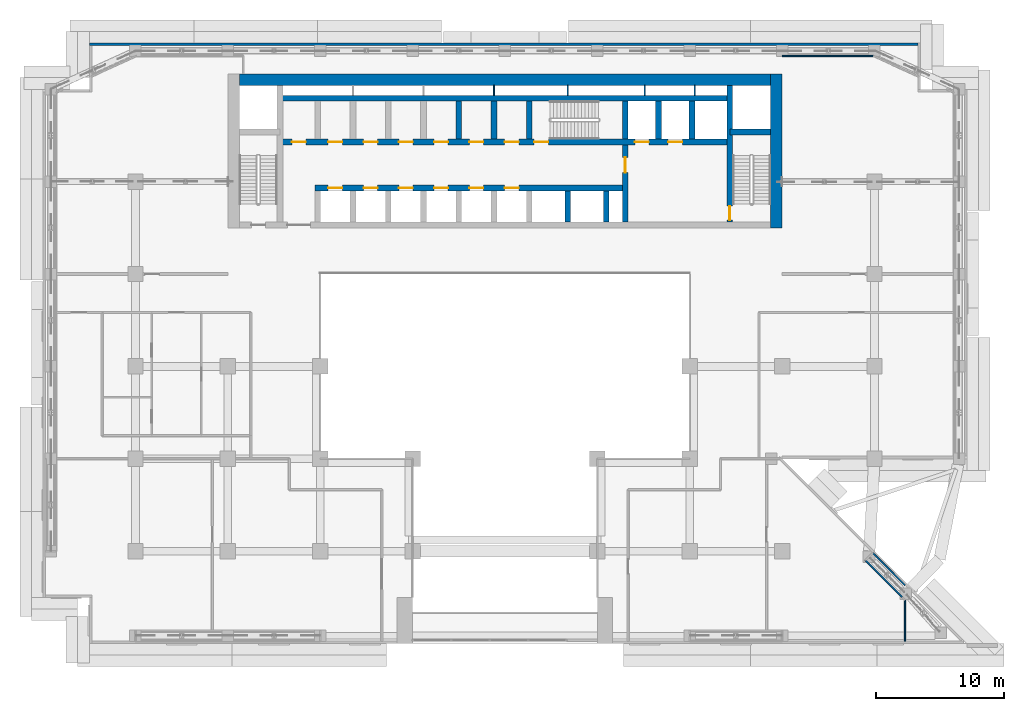
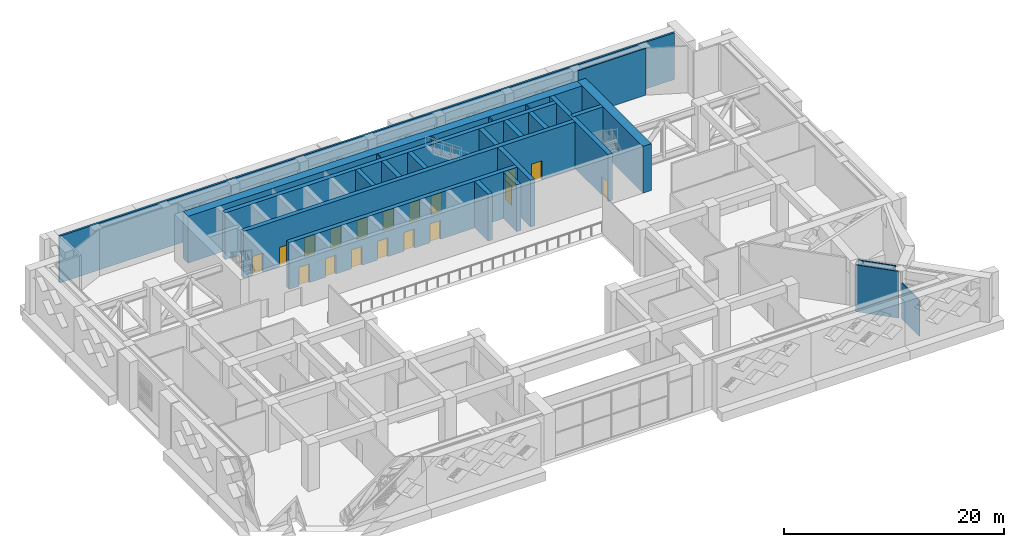
# One storey, part 10 of 19: 25 walls, 18 doors, 18 openings.
"""IFC4 building model written with IfcOpenShell, lengths in metres."""

from ifc_helpers import new_model, si_unit, direction, frame, frame_2d, origin, place, context, subcontext, project, spatial, rectangle, extrude, material, layer, layer_set, type_object, element, fill, save


model = new_model("IFC4")

# Units and contexts
model_context = context("Model", 3, precision=1e-05, world=origin(), true_north=direction((0.0, 1.0)))
body_context = subcontext(model_context, "Body", "Model", "MODEL_VIEW")
ifc_project = project(units=[si_unit("LENGTHUNIT", "METRE"), si_unit("AREAUNIT", "SQUARE_METRE"), si_unit("VOLUMEUNIT", "CUBIC_METRE"), si_unit("PLANEANGLEUNIT", "RADIAN"), si_unit("MASSUNIT", "GRAM", prefix="KILO")], contexts=[model_context])

# Site, building, storey
site_placement = place(None, origin())
site = spatial("IfcSite", under=ifc_project, at=site_placement, CompositionType="ELEMENT")
building_placement = place(site_placement, origin())
building = spatial("IfcBuilding", under=site, at=building_placement, Name="Saffron Iwan Residences", CompositionType="ELEMENT")
storey_placement = place(building_placement, frame((0.0, 0.0, 107.5)))
storey = spatial("IfcBuildingStorey", under=building, at=storey_placement, Name="L28", CompositionType="ELEMENT", Elevation=107.5)

# Walls
ifc_material_1 = material(Name="Concrete C40/50", Category="concrete")
ifc_layer_1 = layer(ifc_material_1, 0.199951171875)
ifc_layer_set_1 = layer_set([ifc_layer_1], Name="Concrete C40/50")
wall_type_1 = type_object("IfcWallType", Name="EXTERNAL WALL 200", PredefinedType="SOLIDWALL", material=ifc_layer_set_1)
wall_1_placement = place(storey_placement, frame((82.60009765625, 80.300048828125, 0.0), z_axis=(0.0, 0.0, 1.0), x_axis=(-1.0, 0.0, 0.0)))
element("IfcWall", 1, at=wall_1_placement, inside=storey, type_object=wall_type_1, Name="External wall L28 F5.0", PredefinedType="SOLIDWALL", context=body_context, shape_type="SweptSolid", body=[
    extrude(rectangle(XDim=64.60009765625, YDim=0.199951171875, at=frame_2d((32.300048828125, 0.0))), origin(), (0.0, 0.0, 1.0), 5.199951171875),
])
ifc_material_2 = material(Name="Glass", Category="glass")
ifc_layer_2 = layer(ifc_material_2, 0.10009765625)
ifc_layer_set_2 = layer_set([ifc_layer_2], Name="Glass")
wall_type_2 = type_object("IfcWallType", Name="Glazed screen wall 100", PredefinedType="PARTITIONING", material=ifc_layer_set_2)
wall_2_placement = place(storey_placement, frame((72.0, 79.39990234375, 0.0), z_axis=(0.0, 0.0, 1.0), x_axis=(1.0, 0.0, 0.0)))
element("IfcWall", 2, at=wall_2_placement, inside=storey, type_object=wall_type_2, Name="W-L28-021", PredefinedType="PARTITIONING", context=body_context, shape_type="SweptSolid", body=[
    extrude(rectangle(XDim=7.113037109375, YDim=0.10009765625, at=frame_2d((3.556640625, 0.0))), origin(), (0.0, 0.0, 1.0), 5.199951171875),
])
wall_3_placement = place(storey_placement, frame((81.580078125, 33.77001953125, 0.0), z_axis=(0.0, 0.0, 1.0), x_axis=(0.0, 1.0, 0.0)))
element("IfcWall", 3, at=wall_3_placement, inside=storey, type_object=wall_type_2, Name="W-L28-045", PredefinedType="PARTITIONING", context=body_context, shape_type="SweptSolid", body=[
    extrude(rectangle(XDim=3.208984375, YDim=0.10009765625, at=frame_2d((1.6044921875, 0.0))), origin(), (0.0, 0.0, 1.0), 4.0),
])
wall_4_placement = place(storey_placement, frame((81.364013671875, 37.220947265625, 0.0), z_axis=(0.0, 0.0, 1.0), x_axis=(-0.706986535159, 0.707227006769, 0.0)))
element("IfcWall", 4, at=wall_4_placement, inside=storey, type_object=wall_type_2, Name="W-L28-050", PredefinedType="PARTITIONING", context=body_context, shape_type="SweptSolid", body=[
    extrude(rectangle(XDim=4.06103515625, YDim=0.10009765625, at=frame_2d((2.030517578125, 0.0))), origin(), (0.0, 0.0, 1.0), 5.199951171875),
])
wall_5_placement = place(storey_placement, frame((79.05908203125, 40.658935546875, 0.0), z_axis=(0.0, 0.0, 1.0), x_axis=(0.70696983788, -0.707243697976, 0.0)))
element("IfcWall", 5, at=wall_5_placement, inside=storey, type_object=wall_type_2, Name="W-L28-052", PredefinedType="PARTITIONING", context=body_context, shape_type="SweptSolid", body=[
    extrude(rectangle(XDim=3.56591796875, YDim=0.10009765625, at=frame_2d((1.782958984375, 0.0))), origin(), (0.0, 0.0, 1.0), 5.199951171875),
])
ifc_material_3 = material(Name="Fire-rated plasterboard partition")
ifc_layer_3 = layer(ifc_material_3, 0.10009765625)
ifc_layer_set_3 = layer_set([ifc_layer_3], Name="Fire-rated plasterboard partition")
wall_type_3 = type_object("IfcWallType", Name="Riser partition 100", PredefinedType="PARTITIONING", material=ifc_layer_set_3)
for number, where, z_axis, x_axis, name in (
    (6, (49.550048828125, 76.324951171875, 0.0), (0.0, 0.0, 1.0), (0.0, 1.0, 0.0), "Core partition P03"),
    (7, (55.300048828125, 76.324951171875, 0.0), (0.0, 0.0, 1.0), (0.0, 1.0, 0.0), "Core partition P04"),
    (8, (61.300048828125, 76.324951171875, 0.0), (0.0, 0.0, 1.0), (0.0, 1.0, 0.0), "Core partition P05"),
    (9, (65.199951171875, 76.324951171875, 0.0), (0.0, 0.0, 1.0), (0.0, 1.0, 0.0), "Core partition P06"),
):
    element("IfcWall", number, at=place(storey_placement, frame(where, z_axis=z_axis, x_axis=x_axis)), inside=storey, type_object=wall_type_3, Name=name, PredefinedType="PARTITIONING", context=body_context, shape_type="SweptSolid", body=[
        extrude(rectangle(XDim=0.775146484375, YDim=0.10009765625, at=frame_2d((0.3876953125, 0.0))), origin(), (0.0, 0.0, 1.0), 5.199951171875),
    ])

# Wall, openings, doors
ifc_material_4 = material(Name="Concrete C60/75", Category="concrete")
ifc_layer_4 = layer(ifc_material_4, 0.449951171875)
ifc_layer_set_4 = layer_set([ifc_layer_4], Name="Concrete C60/75")
wall_type_4 = type_object("IfcWallType", Name="WALL CORE 450 C60/75 5200 HIGH", PredefinedType="SHEAR", material=ifc_layer_set_4)
wall_6_placement = place(storey_placement, frame((35.574951171875, 69.10009765625, 0.0), z_axis=(0.0, 0.0, 1.0), x_axis=(1.0, 0.0, 0.0)))
wall_6 = element("IfcWall", 10, at=wall_6_placement, inside=storey, type_object=wall_type_4, Name="Core wall", PredefinedType="SHEAR", context=body_context, shape_type="SweptSolid", body=[
    extrude(rectangle(XDim=24.199951171875, YDim=0.449951171875, at=frame_2d((12.10009765625, 0.0))), origin(), (0.0, 0.0, 1.0), 5.199951171875),
])
opening_1_placement = place(wall_6_placement, frame((1.050048828125, 0.0, 0.0)))
opening_1 = element("IfcOpeningElement", 11, at=opening_1_placement, cuts=wall_6, Name="Opening LD", PredefinedType="OPENING", context=body_context, shape_type="SweptSolid", body=[
    extrude(rectangle(XDim=1.10009765625, YDim=2.10009765625, at=frame_2d((0.550048828125, 1.050048828125))), frame((0.0, 0.23486328125, 0.0), z_axis=(0.0, -1.0, 0.0), x_axis=(1.0, 0.0, 0.0)), (0.0, 0.0, 1.0), 0.469970703125),
])
opening_2_placement = place(wall_6_placement, frame((3.800048828125, 0.0, 0.0)))
opening_2 = element("IfcOpeningElement", 12, at=opening_2_placement, cuts=wall_6, Name="Opening LD", PredefinedType="OPENING", context=body_context, shape_type="SweptSolid", body=[
    extrude(rectangle(XDim=1.10009765625, YDim=2.10009765625, at=frame_2d((0.550048828125, 1.050048828125))), frame((0.0, 0.23486328125, 0.0), z_axis=(0.0, -1.0, 0.0), x_axis=(1.0, 0.0, 0.0)), (0.0, 0.0, 1.0), 0.469970703125),
])
opening_3_placement = place(wall_6_placement, frame((6.550048828125, 0.0, 0.0)))
opening_3 = element("IfcOpeningElement", 13, at=opening_3_placement, cuts=wall_6, Name="Opening LD", PredefinedType="OPENING", context=body_context, shape_type="SweptSolid", body=[
    extrude(rectangle(XDim=1.10009765625, YDim=2.10009765625, at=frame_2d((0.550048828125, 1.050048828125))), frame((0.0, 0.23486328125, 0.0), z_axis=(0.0, -1.0, 0.0), x_axis=(1.0, 0.0, 0.0)), (0.0, 0.0, 1.0), 0.469970703125),
])
opening_4_placement = place(wall_6_placement, frame((9.300048828125, 0.0, 0.0)))
opening_4 = element("IfcOpeningElement", 14, at=opening_4_placement, cuts=wall_6, Name="Opening LD", PredefinedType="OPENING", context=body_context, shape_type="SweptSolid", body=[
    extrude(rectangle(XDim=1.10009765625, YDim=2.10009765625, at=frame_2d((0.550048828125, 1.050048828125))), frame((0.0, 0.23486328125, 0.0), z_axis=(0.0, -1.0, 0.0), x_axis=(1.0, 0.0, 0.0)), (0.0, 0.0, 1.0), 0.469970703125),
])
opening_5_placement = place(wall_6_placement, frame((12.050048828125, 0.0, 0.0)))
opening_5 = element("IfcOpeningElement", 15, at=opening_5_placement, cuts=wall_6, Name="Opening LD", PredefinedType="OPENING", context=body_context, shape_type="SweptSolid", body=[
    extrude(rectangle(XDim=1.10009765625, YDim=2.10009765625, at=frame_2d((0.550048828125, 1.050048828125))), frame((0.0, 0.23486328125, 0.0), z_axis=(0.0, -1.0, 0.0), x_axis=(1.0, 0.0, 0.0)), (0.0, 0.0, 1.0), 0.469970703125),
])
opening_6_placement = place(wall_6_placement, frame((14.800048828125, 0.0, 0.0)))
opening_6 = element("IfcOpeningElement", 16, at=opening_6_placement, cuts=wall_6, Name="Opening LD", PredefinedType="OPENING", context=body_context, shape_type="SweptSolid", body=[
    extrude(rectangle(XDim=1.10009765625, YDim=2.10009765625, at=frame_2d((0.550048828125, 1.050048828125))), frame((0.0, 0.23486328125, 0.0), z_axis=(0.0, -1.0, 0.0), x_axis=(1.0, 0.0, 0.0)), (0.0, 0.0, 1.0), 0.469970703125),
])
ifc_material_5 = material(Name="Steel fire door", Category="steel")
door_type_1 = type_object("IfcDoorType", Name="Lift landing door 1100", OperationType="SLIDING_TO_LEFT", PredefinedType="DOOR", material=ifc_material_5)
door_1_placement = place(opening_1_placement, origin())
door_1 = element("IfcDoor", 17, at=door_1_placement, inside=storey, type_object=door_type_1, Name="Landing doors LR1", OperationType="SLIDING_TO_LEFT", OverallHeight=2.10009765625, OverallWidth=1.10009765625, PredefinedType="DOOR", context=body_context, shape_type="SweptSolid", body=[
    extrude(rectangle(XDim=1.10009765625, YDim=2.10009765625, at=frame_2d((0.550048828125, 1.050048828125))), frame((0.0, 0.02490234375, 0.0), z_axis=(0.0, -1.0, 0.0), x_axis=(1.0, 0.0, 0.0)), (0.0, 0.0, 1.0), 0.050048828125),
])
fill(opening_1, door_1)
door_2_placement = place(opening_2_placement, origin())
door_2 = element("IfcDoor", 18, at=door_2_placement, inside=storey, type_object=door_type_1, Name="Landing doors LR2", OperationType="SLIDING_TO_LEFT", OverallHeight=2.10009765625, OverallWidth=1.10009765625, PredefinedType="DOOR", context=body_context, shape_type="SweptSolid", body=[
    extrude(rectangle(XDim=1.10009765625, YDim=2.10009765625, at=frame_2d((0.550048828125, 1.050048828125))), frame((0.0, 0.02490234375, 0.0), z_axis=(0.0, -1.0, 0.0), x_axis=(1.0, 0.0, 0.0)), (0.0, 0.0, 1.0), 0.050048828125),
])
fill(opening_2, door_2)
door_3_placement = place(opening_3_placement, origin())
door_3 = element("IfcDoor", 19, at=door_3_placement, inside=storey, type_object=door_type_1, Name="Landing doors LR3", OperationType="SLIDING_TO_LEFT", OverallHeight=2.10009765625, OverallWidth=1.10009765625, PredefinedType="DOOR", context=body_context, shape_type="SweptSolid", body=[
    extrude(rectangle(XDim=1.10009765625, YDim=2.10009765625, at=frame_2d((0.550048828125, 1.050048828125))), frame((0.0, 0.02490234375, 0.0), z_axis=(0.0, -1.0, 0.0), x_axis=(1.0, 0.0, 0.0)), (0.0, 0.0, 1.0), 0.050048828125),
])
fill(opening_3, door_3)
door_4_placement = place(opening_4_placement, origin())
door_4 = element("IfcDoor", 20, at=door_4_placement, inside=storey, type_object=door_type_1, Name="Landing doors LR4", OperationType="SLIDING_TO_LEFT", OverallHeight=2.10009765625, OverallWidth=1.10009765625, PredefinedType="DOOR", context=body_context, shape_type="SweptSolid", body=[
    extrude(rectangle(XDim=1.10009765625, YDim=2.10009765625, at=frame_2d((0.550048828125, 1.050048828125))), frame((0.0, 0.02490234375, 0.0), z_axis=(0.0, -1.0, 0.0), x_axis=(1.0, 0.0, 0.0)), (0.0, 0.0, 1.0), 0.050048828125),
])
fill(opening_4, door_4)
door_5_placement = place(opening_5_placement, origin())
door_5 = element("IfcDoor", 21, at=door_5_placement, inside=storey, type_object=door_type_1, Name="Landing doors LR5", OperationType="SLIDING_TO_LEFT", OverallHeight=2.10009765625, OverallWidth=1.10009765625, PredefinedType="DOOR", context=body_context, shape_type="SweptSolid", body=[
    extrude(rectangle(XDim=1.10009765625, YDim=2.10009765625, at=frame_2d((0.550048828125, 1.050048828125))), frame((0.0, 0.02490234375, 0.0), z_axis=(0.0, -1.0, 0.0), x_axis=(1.0, 0.0, 0.0)), (0.0, 0.0, 1.0), 0.050048828125),
])
fill(opening_5, door_5)
door_6_placement = place(opening_6_placement, origin())
door_6 = element("IfcDoor", 22, at=door_6_placement, inside=storey, type_object=door_type_1, Name="Landing doors LR6", OperationType="SLIDING_TO_LEFT", OverallHeight=2.10009765625, OverallWidth=1.10009765625, PredefinedType="DOOR", context=body_context, shape_type="SweptSolid", body=[
    extrude(rectangle(XDim=1.10009765625, YDim=2.10009765625, at=frame_2d((0.550048828125, 1.050048828125))), frame((0.0, 0.02490234375, 0.0), z_axis=(0.0, -1.0, 0.0), x_axis=(1.0, 0.0, 0.0)), (0.0, 0.0, 1.0), 0.050048828125),
])
fill(opening_6, door_6)

wall_7_placement = place(storey_placement, frame((32.875, 72.699951171875, 0.0), z_axis=(0.0, 0.0, 1.0), x_axis=(1.0, 0.0, 0.0)))
wall_7 = element("IfcWall", 23, at=wall_7_placement, inside=storey, type_object=wall_type_4, Name="Core wall", PredefinedType="SHEAR", context=body_context, shape_type="SweptSolid", body=[
    extrude(rectangle(XDim=35.050048828125, YDim=0.449951171875, at=frame_2d((17.52490234375, 0.0))), origin(), (0.0, 0.0, 1.0), 5.199951171875),
])
opening_7_placement = place(wall_7_placement, frame((19.800048828125, 0.0, 0.0)))
opening_7 = element("IfcOpeningElement", 24, at=opening_7_placement, cuts=wall_7, Name="Opening SD", PredefinedType="OPENING", context=body_context, shape_type="SweptSolid", body=[
    extrude(rectangle(XDim=1.10009765625, YDim=2.10009765625, at=frame_2d((0.550048828125, 1.050048828125))), frame((0.0, 0.23486328125, 0.0), z_axis=(0.0, -1.0, 0.0), x_axis=(1.0, 0.0, 0.0)), (0.0, 0.0, 1.0), 0.469970703125),
])
opening_8_placement = place(wall_7_placement, frame((27.64990234375, 0.0, 0.0)))
opening_8 = element("IfcOpeningElement", 25, at=opening_8_placement, cuts=wall_7, Name="Opening LD", PredefinedType="OPENING", context=body_context, shape_type="SweptSolid", body=[
    extrude(rectangle(XDim=1.10009765625, YDim=2.10009765625, at=frame_2d((0.550048828125, 1.050048828125))), frame((0.0, 0.23486328125, 0.0), z_axis=(0.0, -1.0, 0.0), x_axis=(1.0, 0.0, 0.0)), (0.0, 0.0, 1.0), 0.469970703125),
])
opening_9_placement = place(wall_7_placement, frame((30.25, 0.0, 0.0)))
opening_9 = element("IfcOpeningElement", 26, at=opening_9_placement, cuts=wall_7, Name="Opening LD", PredefinedType="OPENING", context=body_context, shape_type="SweptSolid", body=[
    extrude(rectangle(XDim=1.10009765625, YDim=2.10009765625, at=frame_2d((0.550048828125, 1.050048828125))), frame((0.0, 0.23486328125, 0.0), z_axis=(0.0, -1.0, 0.0), x_axis=(1.0, 0.0, 0.0)), (0.0, 0.0, 1.0), 0.469970703125),
])
opening_10_placement = place(wall_7_placement, frame((3.75, 0.0, 0.0)))
opening_10 = element("IfcOpeningElement", 27, at=opening_10_placement, cuts=wall_7, Name="Opening SR", PredefinedType="OPENING", context=body_context, shape_type="SweptSolid", body=[
    extrude(rectangle(XDim=1.10009765625, YDim=2.10009765625, at=frame_2d((0.550048828125, 1.050048828125))), frame((0.0, 0.23486328125, 0.0), z_axis=(0.0, -1.0, 0.0), x_axis=(1.0, 0.0, 0.0)), (0.0, 0.0, 1.0), 0.469970703125),
])
opening_11_placement = place(wall_7_placement, frame((6.5, 0.0, 0.0)))
opening_11 = element("IfcOpeningElement", 28, at=opening_11_placement, cuts=wall_7, Name="Opening SR", PredefinedType="OPENING", context=body_context, shape_type="SweptSolid", body=[
    extrude(rectangle(XDim=1.10009765625, YDim=2.10009765625, at=frame_2d((0.550048828125, 1.050048828125))), frame((0.0, 0.23486328125, 0.0), z_axis=(0.0, -1.0, 0.0), x_axis=(1.0, 0.0, 0.0)), (0.0, 0.0, 1.0), 0.469970703125),
])
opening_12_placement = place(wall_7_placement, frame((9.25, 0.0, 0.0)))
opening_12 = element("IfcOpeningElement", 29, at=opening_12_placement, cuts=wall_7, Name="Opening SR", PredefinedType="OPENING", context=body_context, shape_type="SweptSolid", body=[
    extrude(rectangle(XDim=1.10009765625, YDim=2.10009765625, at=frame_2d((0.550048828125, 1.050048828125))), frame((0.0, 0.23486328125, 0.0), z_axis=(0.0, -1.0, 0.0), x_axis=(1.0, 0.0, 0.0)), (0.0, 0.0, 1.0), 0.469970703125),
])
opening_13_placement = place(wall_7_placement, frame((12.0, 0.0, 0.0)))
opening_13 = element("IfcOpeningElement", 30, at=opening_13_placement, cuts=wall_7, Name="Opening SR", PredefinedType="OPENING", context=body_context, shape_type="SweptSolid", body=[
    extrude(rectangle(XDim=1.10009765625, YDim=2.10009765625, at=frame_2d((0.550048828125, 1.050048828125))), frame((0.0, 0.23486328125, 0.0), z_axis=(0.0, -1.0, 0.0), x_axis=(1.0, 0.0, 0.0)), (0.0, 0.0, 1.0), 0.469970703125),
])
opening_14_placement = place(wall_7_placement, frame((14.75, 0.0, 0.0)))
opening_14 = element("IfcOpeningElement", 31, at=opening_14_placement, cuts=wall_7, Name="Opening SR", PredefinedType="OPENING", context=body_context, shape_type="SweptSolid", body=[
    extrude(rectangle(XDim=1.10009765625, YDim=2.10009765625, at=frame_2d((0.550048828125, 1.050048828125))), frame((0.0, 0.23486328125, 0.0), z_axis=(0.0, -1.0, 0.0), x_axis=(1.0, 0.0, 0.0)), (0.0, 0.0, 1.0), 0.469970703125),
])
opening_15_placement = place(wall_7_placement, frame((17.5, 0.0, 0.0)))
opening_15 = element("IfcOpeningElement", 32, at=opening_15_placement, cuts=wall_7, Name="Opening SR", PredefinedType="OPENING", context=body_context, shape_type="SweptSolid", body=[
    extrude(rectangle(XDim=1.10009765625, YDim=2.10009765625, at=frame_2d((0.550048828125, 1.050048828125))), frame((0.0, 0.23486328125, 0.0), z_axis=(0.0, -1.0, 0.0), x_axis=(1.0, 0.0, 0.0)), (0.0, 0.0, 1.0), 0.469970703125),
])
opening_16_placement = place(wall_7_placement, frame((0.91259765625, 0.0, 0.0)))
opening_16 = element("IfcOpeningElement", 33, at=opening_16_placement, cuts=wall_7, Name="Opening SR", PredefinedType="OPENING", context=body_context, shape_type="SweptSolid", body=[
    extrude(rectangle(XDim=1.10009765625, YDim=2.10009765625, at=frame_2d((0.550048828125, 1.050048828125))), frame((0.0, 0.23486328125, 0.0), z_axis=(0.0, -1.0, 0.0), x_axis=(1.0, 0.0, 0.0)), (0.0, 0.0, 1.0), 0.469970703125),
])
door_7_placement = place(opening_8_placement, origin())
door_7 = element("IfcDoor", 34, at=door_7_placement, inside=storey, type_object=door_type_1, Name="Landing doors FF1", OperationType="SLIDING_TO_LEFT", OverallHeight=2.10009765625, OverallWidth=1.10009765625, PredefinedType="DOOR", context=body_context, shape_type="SweptSolid", body=[
    extrude(rectangle(XDim=1.10009765625, YDim=2.10009765625, at=frame_2d((0.550048828125, 1.050048828125))), frame((0.0, 0.02490234375, 0.0), z_axis=(0.0, -1.0, 0.0), x_axis=(1.0, 0.0, 0.0)), (0.0, 0.0, 1.0), 0.050048828125),
])
fill(opening_8, door_7)
door_8_placement = place(opening_9_placement, origin())
door_8 = element("IfcDoor", 35, at=door_8_placement, inside=storey, type_object=door_type_1, Name="Landing doors FF2", OperationType="SLIDING_TO_LEFT", OverallHeight=2.10009765625, OverallWidth=1.10009765625, PredefinedType="DOOR", context=body_context, shape_type="SweptSolid", body=[
    extrude(rectangle(XDim=1.10009765625, YDim=2.10009765625, at=frame_2d((0.550048828125, 1.050048828125))), frame((0.0, 0.02490234375, 0.0), z_axis=(0.0, -1.0, 0.0), x_axis=(1.0, 0.0, 0.0)), (0.0, 0.0, 1.0), 0.050048828125),
])
fill(opening_9, door_8)
door_type_2 = type_object("IfcDoorType", Name="Service door 1100", OperationType="NOTDEFINED", PredefinedType="DOOR", material=ifc_material_5)
door_9_placement = place(opening_10_placement, origin())
door_9 = element("IfcDoor", 36, at=door_9_placement, inside=storey, type_object=door_type_2, Name="Door Fire pump room", OperationType="SINGLE_SWING_LEFT", OverallHeight=2.10009765625, OverallWidth=1.10009765625, PredefinedType="DOOR", context=body_context, shape_type="SweptSolid", body=[
    extrude(rectangle(XDim=1.10009765625, YDim=2.10009765625, at=frame_2d((0.550048828125, 1.050048828125))), frame((0.0, 0.02490234375, 0.0), z_axis=(0.0, -1.0, 0.0), x_axis=(1.0, 0.0, 0.0)), (0.0, 0.0, 1.0), 0.050048828125),
])
fill(opening_10, door_9)
door_10_placement = place(opening_11_placement, origin())
door_10 = element("IfcDoor", 37, at=door_10_placement, inside=storey, type_object=door_type_2, Name="Door Switch plant room", OperationType="SINGLE_SWING_LEFT", OverallHeight=2.10009765625, OverallWidth=1.10009765625, PredefinedType="DOOR", context=body_context, shape_type="SweptSolid", body=[
    extrude(rectangle(XDim=1.10009765625, YDim=2.10009765625, at=frame_2d((0.550048828125, 1.050048828125))), frame((0.0, 0.02490234375, 0.0), z_axis=(0.0, -1.0, 0.0), x_axis=(1.0, 0.0, 0.0)), (0.0, 0.0, 1.0), 0.050048828125),
])
fill(opening_11, door_10)
door_11_placement = place(opening_12_placement, origin())
door_11 = element("IfcDoor", 38, at=door_11_placement, inside=storey, type_object=door_type_2, Name="Door Generator control room", OperationType="SINGLE_SWING_LEFT", OverallHeight=2.10009765625, OverallWidth=1.10009765625, PredefinedType="DOOR", context=body_context, shape_type="SweptSolid", body=[
    extrude(rectangle(XDim=1.10009765625, YDim=2.10009765625, at=frame_2d((0.550048828125, 1.050048828125))), frame((0.0, 0.02490234375, 0.0), z_axis=(0.0, -1.0, 0.0), x_axis=(1.0, 0.0, 0.0)), (0.0, 0.0, 1.0), 0.050048828125),
])
fill(opening_12, door_11)
door_12_placement = place(opening_13_placement, origin())
door_12 = element("IfcDoor", 39, at=door_12_placement, inside=storey, type_object=door_type_2, Name="Door Electrical plant room", OperationType="SINGLE_SWING_LEFT", OverallHeight=2.10009765625, OverallWidth=1.10009765625, PredefinedType="DOOR", context=body_context, shape_type="SweptSolid", body=[
    extrude(rectangle(XDim=1.10009765625, YDim=2.10009765625, at=frame_2d((0.550048828125, 1.050048828125))), frame((0.0, 0.02490234375, 0.0), z_axis=(0.0, -1.0, 0.0), x_axis=(1.0, 0.0, 0.0)), (0.0, 0.0, 1.0), 0.050048828125),
])
fill(opening_13, door_12)
door_13_placement = place(opening_14_placement, origin())
door_13 = element("IfcDoor", 40, at=door_13_placement, inside=storey, type_object=door_type_2, Name="Door Pump room", OperationType="SINGLE_SWING_LEFT", OverallHeight=2.10009765625, OverallWidth=1.10009765625, PredefinedType="DOOR", context=body_context, shape_type="SweptSolid", body=[
    extrude(rectangle(XDim=1.10009765625, YDim=2.10009765625, at=frame_2d((0.550048828125, 1.050048828125))), frame((0.0, 0.02490234375, 0.0), z_axis=(0.0, -1.0, 0.0), x_axis=(1.0, 0.0, 0.0)), (0.0, 0.0, 1.0), 0.050048828125),
])
fill(opening_14, door_13)
door_14_placement = place(opening_15_placement, origin())
door_14 = element("IfcDoor", 41, at=door_14_placement, inside=storey, type_object=door_type_2, Name="Door Air handling room", OperationType="SINGLE_SWING_LEFT", OverallHeight=2.10009765625, OverallWidth=1.10009765625, PredefinedType="DOOR", context=body_context, shape_type="SweptSolid", body=[
    extrude(rectangle(XDim=1.10009765625, YDim=2.10009765625, at=frame_2d((0.550048828125, 1.050048828125))), frame((0.0, 0.02490234375, 0.0), z_axis=(0.0, -1.0, 0.0), x_axis=(1.0, 0.0, 0.0)), (0.0, 0.0, 1.0), 0.050048828125),
])
fill(opening_15, door_14)
door_15_placement = place(opening_16_placement, origin())
door_15 = element("IfcDoor", 42, at=door_15_placement, inside=storey, type_object=door_type_2, Name="Door Refuge area", OperationType="SINGLE_SWING_LEFT", OverallHeight=2.10009765625, OverallWidth=1.10009765625, PredefinedType="DOOR", context=body_context, shape_type="SweptSolid", body=[
    extrude(rectangle(XDim=1.10009765625, YDim=2.10009765625, at=frame_2d((0.550048828125, 1.050048828125))), frame((0.0, 0.02490234375, 0.0), z_axis=(0.0, -1.0, 0.0), x_axis=(1.0, 0.0, 0.0)), (0.0, 0.0, 1.0), 0.050048828125),
])
fill(opening_16, door_15)
door_type_3 = type_object("IfcDoorType", Name="Stair door 1100", OperationType="NOTDEFINED", PredefinedType="DOOR", material=ifc_material_5)
door_16_placement = place(opening_7_placement, origin())
door_16 = element("IfcDoor", 43, at=door_16_placement, inside=storey, type_object=door_type_3, Name="Stair door ST-C", OperationType="SINGLE_SWING_LEFT", OverallHeight=2.10009765625, OverallWidth=1.10009765625, PredefinedType="DOOR", context=body_context, shape_type="SweptSolid", body=[
    extrude(rectangle(XDim=1.10009765625, YDim=2.10009765625, at=frame_2d((0.550048828125, 1.050048828125))), frame((0.0, 0.02490234375, 0.0), z_axis=(0.0, -1.0, 0.0), x_axis=(1.0, 0.0, 0.0)), (0.0, 0.0, 1.0), 0.050048828125),
])
fill(opening_7, door_16)

# Walls
wall_8_placement = place(storey_placement, frame((32.875, 76.10009765625, 0.0), z_axis=(0.0, 0.0, 1.0), x_axis=(1.0, 0.0, 0.0)))
element("IfcWall", 44, at=wall_8_placement, inside=storey, type_object=wall_type_4, Name="Core wall", PredefinedType="SHEAR", context=body_context, shape_type="SweptSolid", body=[
    extrude(rectangle(XDim=35.050048828125, YDim=0.449951171875, at=frame_2d((17.52490234375, 0.0))), origin(), (0.0, 0.0, 1.0), 5.199951171875),
])
wall_9_placement = place(storey_placement, frame((67.925048828125, 73.47509765625, 0.0), z_axis=(0.0, 0.0, 1.0), x_axis=(1.0, 0.0, 0.0)))
element("IfcWall", 45, at=wall_9_placement, inside=storey, type_object=wall_type_4, Name="Core wall", PredefinedType="SHEAR", context=body_context, shape_type="SweptSolid", body=[
    extrude(rectangle(XDim=3.175048828125, YDim=0.449951171875, at=frame_2d((1.58740234375, 0.0))), origin(), (0.0, 0.0, 1.0), 5.199951171875),
])

# Wall, opening, door
wall_10_placement = place(storey_placement, frame((67.925048828125, 66.449951171875, 0.0), z_axis=(0.0, 0.0, 1.0), x_axis=(0.0, 1.0, 0.0)))
wall_10 = element("IfcWall", 46, at=wall_10_placement, inside=storey, type_object=wall_type_4, Name="Core wall", PredefinedType="SHEAR", context=body_context, shape_type="SweptSolid", body=[
    extrude(rectangle(XDim=10.650146484375, YDim=0.449951171875, at=frame_2d((5.3251953125, 0.0))), origin(), (0.0, 0.0, 1.0), 5.199951171875),
])
opening_17_placement = place(wall_10_placement, frame((0.14990234375, 0.0, 0.0)))
opening_17 = element("IfcOpeningElement", 47, at=opening_17_placement, cuts=wall_10, Name="Opening SD", PredefinedType="OPENING", context=body_context, shape_type="SweptSolid", body=[
    extrude(rectangle(XDim=1.10009765625, YDim=2.10009765625, at=frame_2d((0.550048828125, 1.050048828125))), frame((0.0, 0.23486328125, 0.0), z_axis=(0.0, -1.0, 0.0), x_axis=(1.0, 0.0, 0.0)), (0.0, 0.0, 1.0), 0.469970703125),
])
door_17_placement = place(opening_17_placement, origin())
door_17 = element("IfcDoor", 48, at=door_17_placement, inside=storey, type_object=door_type_3, Name="Stair door ST-E", OperationType="SINGLE_SWING_LEFT", OverallHeight=2.10009765625, OverallWidth=1.10009765625, PredefinedType="DOOR", context=body_context, shape_type="SweptSolid", body=[
    extrude(rectangle(XDim=1.10009765625, YDim=2.10009765625, at=frame_2d((0.550048828125, 1.050048828125))), frame((0.0, 0.02490234375, 0.0), z_axis=(0.0, -1.0, 0.0), x_axis=(1.0, 0.0, 0.0)), (0.0, 0.0, 1.0), 0.050048828125),
])
fill(opening_17, door_17)

wall_11_placement = place(storey_placement, frame((59.77490234375, 66.449951171875, 0.0), z_axis=(0.0, 0.0, 1.0), x_axis=(0.0, 1.0, 0.0)))
wall_11 = element("IfcWall", 49, at=wall_11_placement, inside=storey, type_object=wall_type_4, Name="Core wall", PredefinedType="SHEAR", context=body_context, shape_type="SweptSolid", body=[
    extrude(rectangle(XDim=6.025146484375, YDim=0.449951171875, at=frame_2d((3.0126953125, 0.0))), origin(), (0.0, 0.0, 1.0), 5.199951171875),
])
opening_18_placement = place(wall_11_placement, frame((3.85009765625, 0.0, 0.0)))
opening_18 = element("IfcOpeningElement", 50, at=opening_18_placement, cuts=wall_11, Name="Opening FD", PredefinedType="OPENING", context=body_context, shape_type="SweptSolid", body=[
    extrude(rectangle(XDim=1.199951171875, YDim=2.10009765625, at=frame_2d((0.60009765625, 1.050048828125))), frame((0.0, 0.23486328125, 0.0), z_axis=(0.0, -1.0, 0.0), x_axis=(1.0, 0.0, 0.0)), (0.0, 0.0, 1.0), 0.469970703125),
])
door_type_4 = type_object("IfcDoorType", Name="Firefighting lobby door 1200", OperationType="NOTDEFINED", PredefinedType="DOOR", material=ifc_material_5)
door_18_placement = place(opening_18_placement, origin())
door_18 = element("IfcDoor", 51, at=door_18_placement, inside=storey, type_object=door_type_4, Name="Firefighting lobby door", OperationType="SINGLE_SWING_RIGHT", OverallHeight=2.10009765625, OverallWidth=1.199951171875, PredefinedType="DOOR", context=body_context, shape_type="SweptSolid", body=[
    extrude(rectangle(XDim=1.199951171875, YDim=2.10009765625, at=frame_2d((0.60009765625, 1.050048828125))), frame((0.0, 0.02490234375, 0.0), z_axis=(0.0, -1.0, 0.0), x_axis=(1.0, 0.0, 0.0)), (0.0, 0.0, 1.0), 0.050048828125),
])
fill(opening_18, door_18)

# Walls
wall_12_placement = place(storey_placement, frame((59.77490234375, 72.925048828125, 0.0), z_axis=(0.0, 0.0, 1.0), x_axis=(0.0, 1.0, 0.0)))
element("IfcWall", 52, at=wall_12_placement, inside=storey, type_object=wall_type_4, Name="Core wall", PredefinedType="SHEAR", context=body_context, shape_type="SweptSolid", body=[
    extrude(rectangle(XDim=2.949951171875, YDim=0.449951171875, at=frame_2d((1.47509765625, 0.0))), origin(), (0.0, 0.0, 1.0), 5.199951171875),
])
for number, where, z_axis, x_axis, name in (
    (53, (55.300048828125, 66.449951171875, 0.0), (0.0, 0.0, 1.0), (0.0, 1.0, 0.0), "Core wall"),
    (54, (58.300048828125, 66.449951171875, 0.0), (0.0, 0.0, 1.0), (0.0, 1.0, 0.0), "Core wall"),
):
    element("IfcWall", number, at=place(storey_placement, frame(where, z_axis=z_axis, x_axis=x_axis)), inside=storey, type_object=wall_type_4, Name=name, PredefinedType="SHEAR", context=body_context, shape_type="SweptSolid", body=[
        extrude(rectangle(XDim=2.425048828125, YDim=0.449951171875, at=frame_2d((1.21240234375, 0.0))), origin(), (0.0, 0.0, 1.0), 5.199951171875),
    ])
for number, where, z_axis, x_axis, name in (
    (55, (46.800048828125, 72.925048828125, 0.0), (0.0, 0.0, 1.0), (0.0, 1.0, 0.0), "Core wall"),
    (56, (49.550048828125, 72.925048828125, 0.0), (0.0, 0.0, 1.0), (0.0, 1.0, 0.0), "Core wall"),
    (57, (52.300048828125, 72.925048828125, 0.0), (0.0, 0.0, 1.0), (0.0, 1.0, 0.0), "Core wall"),
    (58, (62.375, 72.925048828125, 0.0), (0.0, 0.0, 1.0), (0.0, 1.0, 0.0), "Core wall"),
    (59, (64.97509765625, 72.925048828125, 0.0), (0.0, 0.0, 1.0), (0.0, 1.0, 0.0), "Core wall"),
):
    element("IfcWall", number, at=place(storey_placement, frame(where, z_axis=z_axis, x_axis=x_axis)), inside=storey, type_object=wall_type_4, Name=name, PredefinedType="SHEAR", context=body_context, shape_type="SweptSolid", body=[
        extrude(rectangle(XDim=2.949951171875, YDim=0.449951171875, at=frame_2d((1.47509765625, 0.0))), origin(), (0.0, 0.0, 1.0), 5.199951171875),
    ])
ifc_layer_5 = layer(ifc_material_4, 0.89990234375)
ifc_layer_set_5 = layer_set([ifc_layer_5], Name="Concrete C60/75")
wall_type_5 = type_object("IfcWallType", Name="WALL CORE 900 C60/75 5200 HIGH", PredefinedType="SHEAR", material=ifc_layer_set_5)
wall_13_placement = place(storey_placement, frame((71.550048828125, 66.0, 0.0), z_axis=(0.0, 0.0, 1.0), x_axis=(0.0, 1.0, 0.0)))
element("IfcWall", 60, at=wall_13_placement, inside=storey, type_object=wall_type_5, Name="Core wall", PredefinedType="SHEAR", context=body_context, shape_type="SweptSolid", body=[
    extrude(rectangle(XDim=12.0, YDim=0.89990234375, at=frame_2d((6.0, 0.0))), origin(), (0.0, 0.0, 1.0), 5.199951171875),
])
wall_14_placement = place(storey_placement, frame((29.699951171875, 77.550048828125, 0.0), z_axis=(0.0, 0.0, 1.0), x_axis=(1.0, 0.0, 0.0)))
element("IfcWall", 61, at=wall_14_placement, inside=storey, type_object=wall_type_5, Name="Core wall", PredefinedType="SHEAR", context=body_context, shape_type="SweptSolid", body=[
    extrude(rectangle(XDim=41.400146484375, YDim=0.89990234375, at=frame_2d((20.7001953125, 0.0))), origin(), (0.0, 0.0, 1.0), 5.199951171875),
])

save(model, "model.ifc")
